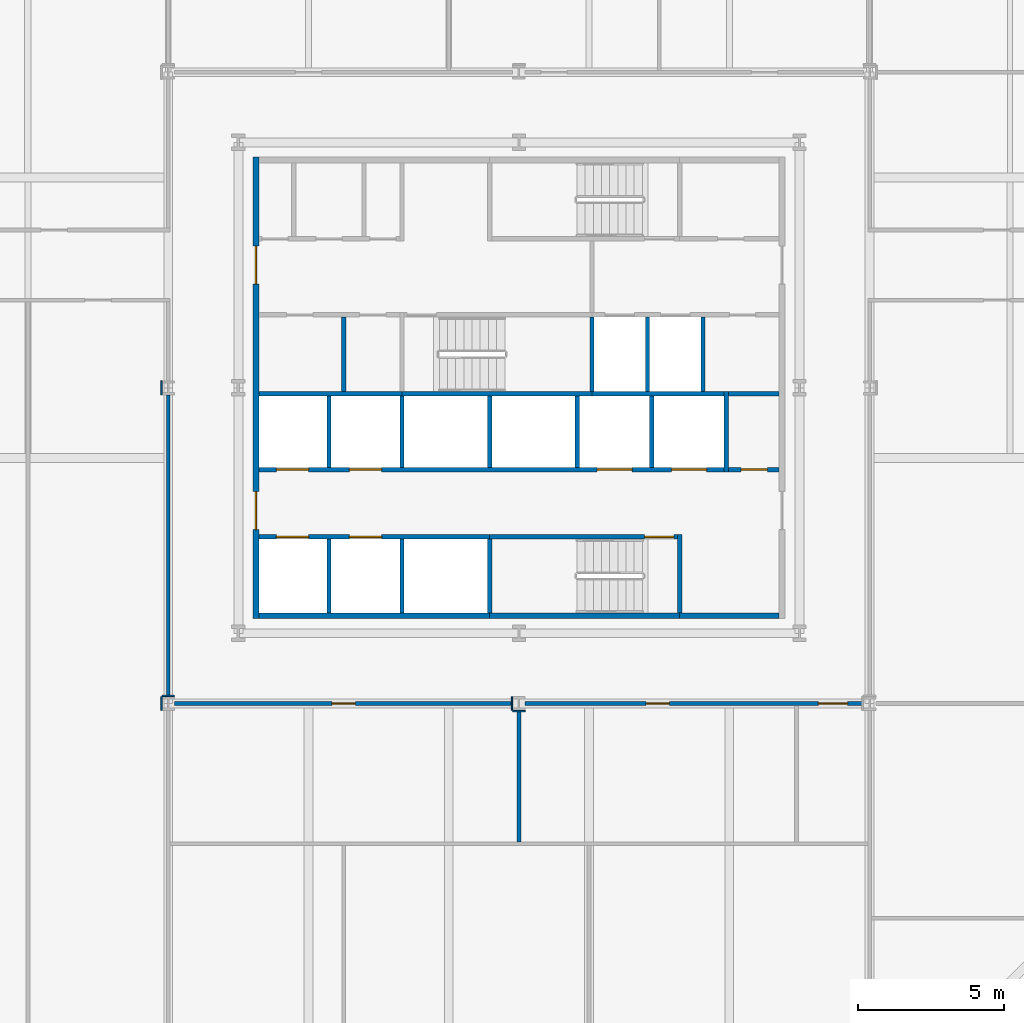
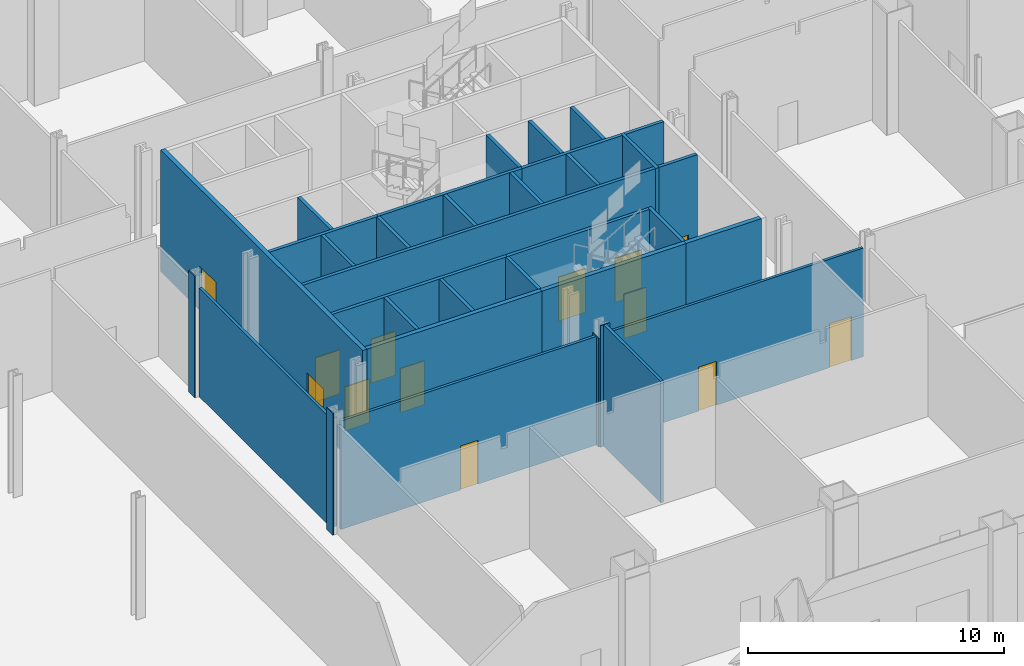
# One storey, part 17 of 31: 35 walls, 13 doors, 13 openings.
"""IFC4 building model written with IfcOpenShell, lengths in metres."""

from ifc_helpers import new_model, si_unit, direction, frame, frame_2d, origin, place, context, subcontext, project, spatial, rectangle, extrude, material, layer, layer_set, type_object, element, fill, save


model = new_model("IFC4")

# Units and contexts
model_context = context("Model", 3, precision=1e-05, world=origin(), true_north=direction((0.0, 1.0)))
body_context = subcontext(model_context, "Body", "Model", "MODEL_VIEW")
ifc_project = project(units=[si_unit("LENGTHUNIT", "METRE"), si_unit("AREAUNIT", "SQUARE_METRE"), si_unit("VOLUMEUNIT", "CUBIC_METRE"), si_unit("PLANEANGLEUNIT", "RADIAN"), si_unit("MASSUNIT", "GRAM", prefix="KILO")], contexts=[model_context])

# Site, building, storey
site_placement = place(None, origin())
site = spatial("IfcSite", under=ifc_project, at=site_placement, CompositionType="ELEMENT")
building_placement = place(site_placement, origin())
building = spatial("IfcBuilding", under=site, at=building_placement, Name="Cairn Pilgrim Tower", CompositionType="ELEMENT")
storey_placement = place(building_placement, frame((0.0, 0.0, 15.0)))
storey = spatial("IfcBuildingStorey", under=building, at=storey_placement, Name="L02", CompositionType="ELEMENT", Elevation=15.0)

# Walls
ifc_material_1 = material(Name="Concrete C32/40", Category="concrete")
ifc_layer_1 = layer(ifc_material_1, 0.199951171875)
ifc_layer_set_1 = layer_set([ifc_layer_1], Name="CORE OUTER WALL 200 EI 120")
wall_type_1 = type_object("IfcWallType", Name="CORE OUTER WALL 200 EI 120", PredefinedType="SOLIDWALL", material=ifc_layer_set_1)
wall_1_placement = place(storey_placement, frame((-1.699951171875, -5.39990234375, 0.0), z_axis=(0.0, 0.0, 1.0), x_axis=(1.0, 0.0, 0.0)))
element("IfcWall", 1, at=wall_1_placement, inside=storey, type_object=wall_type_1, Name="CW:L02:H01-1", PredefinedType="SOLIDWALL", context=body_context, shape_type="SweptSolid", body=[
    extrude(rectangle(XDim=7.89990234375, YDim=0.199951171875, at=frame_2d((3.949951171875, 0.0))), origin(), (0.0, 0.0, 1.0), 5.800048828125),
])
wall_2_placement = place(storey_placement, frame((12.699951171875, -5.39990234375, 0.0), z_axis=(0.0, 0.0, 1.0), x_axis=(1.0, 0.0, 0.0)))
element("IfcWall", 2, at=wall_2_placement, inside=storey, type_object=wall_type_1, Name="CW:L02:H01-3", PredefinedType="SOLIDWALL", context=body_context, shape_type="SweptSolid", body=[
    extrude(rectangle(XDim=3.400146484375, YDim=0.199951171875, at=frame_2d((1.7001953125, 0.0))), origin(), (0.0, 0.0, 1.0), 5.800048828125),
])

# Wall, openings, doors
wall_3_placement = place(storey_placement, frame((-1.800048828125, -5.5, 0.0), z_axis=(0.0, 0.0, 1.0), x_axis=(0.0, 1.0, 0.0)))
wall_3 = element("IfcWall", 3, at=wall_3_placement, inside=storey, type_object=wall_type_1, Name="CW:L02:V12", PredefinedType="SOLIDWALL", context=body_context, shape_type="SweptSolid", body=[
    extrude(rectangle(XDim=15.800048828125, YDim=0.199951171875, at=frame_2d((7.89990234375, 0.0))), origin(), (0.0, 0.0, 1.0), 5.800048828125),
])
opening_1_placement = place(wall_3_placement, frame((3.050048828125, 0.0, 0.0)))
opening_1 = element("IfcOpeningElement", 4, at=opening_1_placement, cuts=wall_3, Name="Opening CD-W1", PredefinedType="OPENING", context=body_context, shape_type="SweptSolid", body=[
    extrude(rectangle(XDim=1.300048828125, YDim=2.10009765625, at=frame_2d((0.64990234375, 1.050048828125))), frame((0.0, 0.10986328125, 0.0), z_axis=(0.0, -1.0, 0.0), x_axis=(1.0, 0.0, 0.0)), (0.0, 0.0, 1.0), 0.219970703125),
])
opening_2_placement = place(wall_3_placement, frame((11.449951171875, 0.0, 0.0)))
opening_2 = element("IfcOpeningElement", 5, at=opening_2_placement, cuts=wall_3, Name="Opening CD-W2", PredefinedType="OPENING", context=body_context, shape_type="SweptSolid", body=[
    extrude(rectangle(XDim=1.300048828125, YDim=2.10009765625, at=frame_2d((0.64990234375, 1.050048828125))), frame((0.0, 0.10986328125, 0.0), z_axis=(0.0, -1.0, 0.0), x_axis=(1.0, 0.0, 0.0)), (0.0, 0.0, 1.0), 0.219970703125),
])
ifc_material_2 = material(Name="Painted steel", Category="steel")
door_type_1 = type_object("IfcDoorType", Name="CORE LOBBY DOOR 1300x2100", OperationType="DOUBLE_DOOR_SINGLE_SWING", PredefinedType="DOOR", material=ifc_material_2)
door_1_placement = place(opening_1_placement, origin())
door_1 = element("IfcDoor", 6, at=door_1_placement, inside=storey, type_object=door_type_1, Name="CD-W1", OperationType="DOUBLE_DOOR_SINGLE_SWING", OverallHeight=2.10009765625, OverallWidth=1.300048828125, PredefinedType="DOOR", context=body_context, shape_type="SweptSolid", body=[
    extrude(rectangle(XDim=1.300048828125, YDim=2.10009765625, at=frame_2d((0.64990234375, 1.050048828125))), frame((0.0, 0.02490234375, 0.0), z_axis=(0.0, -1.0, 0.0), x_axis=(1.0, 0.0, 0.0)), (0.0, 0.0, 1.0), 0.050048828125),
])
fill(opening_1, door_1)
door_2_placement = place(opening_2_placement, origin())
door_2 = element("IfcDoor", 7, at=door_2_placement, inside=storey, type_object=door_type_1, Name="CD-W2", OperationType="DOUBLE_DOOR_SINGLE_SWING", OverallHeight=2.10009765625, OverallWidth=1.300048828125, PredefinedType="DOOR", context=body_context, shape_type="SweptSolid", body=[
    extrude(rectangle(XDim=1.300048828125, YDim=2.10009765625, at=frame_2d((0.64990234375, 1.050048828125))), frame((0.0, 0.02490234375, 0.0), z_axis=(0.0, -1.0, 0.0), x_axis=(1.0, 0.0, 0.0)), (0.0, 0.0, 1.0), 0.050048828125),
])
fill(opening_2, door_2)

# Wall, opening, door
ifc_layer_2 = layer(ifc_material_1, 0.14990234375)
ifc_layer_set_2 = layer_set([ifc_layer_2], Name="CORE PARTITION 150 EI 60")
wall_type_2 = type_object("IfcWallType", Name="CORE PARTITION 150 EI 60", PredefinedType="PARTITIONING", material=ifc_layer_set_2)
wall_4_placement = place(storey_placement, frame((14.375, -0.39990234375, 0.0), z_axis=(0.0, 0.0, 1.0), x_axis=(1.0, 0.0, 0.0)))
wall_4 = element("IfcWall", 8, at=wall_4_placement, inside=storey, type_object=wall_type_2, Name="CW:L02:H04", PredefinedType="PARTITIONING", context=body_context, shape_type="SweptSolid", body=[
    extrude(rectangle(XDim=1.72509765625, YDim=0.14990234375, at=frame_2d((0.862548828125, 0.0))), origin(), (0.0, 0.0, 1.0), 5.800048828125),
])
opening_3_placement = place(wall_4_placement, frame((0.425048828125, 0.0, 0.0)))
opening_3 = element("IfcOpeningElement", 9, at=opening_3_placement, cuts=wall_4, Name="Opening RD-R2E", PredefinedType="OPENING", context=body_context, shape_type="SweptSolid", body=[
    extrude(rectangle(XDim=0.89990234375, YDim=2.10009765625, at=frame_2d((0.449951171875, 1.050048828125))), frame((0.0, 0.0849609375, 0.0), z_axis=(0.0, -1.0, 0.0), x_axis=(1.0, 0.0, 0.0)), (0.0, 0.0, 1.0), 0.169921875),
])
door_type_2 = type_object("IfcDoorType", Name="SERVICE ROOM DOOR 900x2100", OperationType="SINGLE_SWING_LEFT", PredefinedType="DOOR", material=ifc_material_2)
door_3_placement = place(opening_3_placement, origin())
door_3 = element("IfcDoor", 10, at=door_3_placement, inside=storey, type_object=door_type_2, Name="RD-R2E", OperationType="SINGLE_SWING_LEFT", OverallHeight=2.10009765625, OverallWidth=0.89990234375, PredefinedType="DOOR", context=body_context, shape_type="SweptSolid", body=[
    extrude(rectangle(XDim=0.89990234375, YDim=2.10009765625, at=frame_2d((0.449951171875, 1.050048828125))), frame((0.0, 0.02490234375, 0.0), z_axis=(0.0, -1.0, 0.0), x_axis=(1.0, 0.0, 0.0)), (0.0, 0.0, 1.0), 0.050048828125),
])
fill(opening_3, door_3)

# Walls
wall_5_placement = place(storey_placement, frame((14.375, 2.199951171875, 0.0), z_axis=(0.0, 0.0, 1.0), x_axis=(1.0, 0.0, 0.0)))
element("IfcWall", 11, at=wall_5_placement, inside=storey, type_object=wall_type_2, Name="CW:L02:H06", PredefinedType="PARTITIONING", context=body_context, shape_type="SweptSolid", body=[
    extrude(rectangle(XDim=1.72509765625, YDim=0.14990234375, at=frame_2d((0.862548828125, 0.0))), origin(), (0.0, 0.0, 1.0), 5.800048828125),
])
wall_6_placement = place(storey_placement, frame((1.199951171875, 2.27490234375, 0.0), z_axis=(0.0, 0.0, 1.0), x_axis=(0.0, 1.0, 0.0)))
element("IfcWall", 12, at=wall_6_placement, inside=storey, type_object=wall_type_2, Name="CW:L02:V16", PredefinedType="PARTITIONING", context=body_context, shape_type="SweptSolid", body=[
    extrude(rectangle(XDim=2.550048828125, YDim=0.14990234375, at=frame_2d((1.27490234375, 0.0))), origin(), (0.0, 0.0, 1.0), 5.800048828125),
])

# Wall, openings, doors
ifc_layer_3 = layer(ifc_material_1, 0.14990234375)
ifc_layer_set_3 = layer_set([ifc_layer_3], Name="CORE SHAFT WALL 150 EI 120")
wall_type_3 = type_object("IfcWallType", Name="CORE SHAFT WALL 150 EI 120", PredefinedType="SOLIDWALL", material=ifc_layer_set_3)
wall_7_placement = place(storey_placement, frame((-1.699951171875, -2.699951171875, 0.0), z_axis=(0.0, 0.0, 1.0), x_axis=(1.0, 0.0, 0.0)))
wall_7 = element("IfcWall", 13, at=wall_7_placement, inside=storey, type_object=wall_type_3, Name="CW:L02:H02-1", PredefinedType="SOLIDWALL", context=body_context, shape_type="SweptSolid", body=[
    extrude(rectangle(XDim=7.89990234375, YDim=0.14990234375, at=frame_2d((3.949951171875, 0.0))), origin(), (0.0, 0.0, 1.0), 5.800048828125),
])
opening_4_placement = place(wall_7_placement, frame((0.60009765625, 0.0, 0.0)))
opening_4 = element("IfcOpeningElement", 14, at=opening_4_placement, cuts=wall_7, Name="Opening LD-LR1", PredefinedType="OPENING", context=body_context, shape_type="SweptSolid", body=[
    extrude(rectangle(XDim=1.10009765625, YDim=2.10009765625, at=frame_2d((0.550048828125, 1.050048828125))), frame((0.0, 0.0849609375, 0.0), z_axis=(0.0, -1.0, 0.0), x_axis=(1.0, 0.0, 0.0)), (0.0, 0.0, 1.0), 0.169921875),
])
opening_5_placement = place(wall_7_placement, frame((3.10009765625, 0.0, 0.0)))
opening_5 = element("IfcOpeningElement", 15, at=opening_5_placement, cuts=wall_7, Name="Opening LD-LR2", PredefinedType="OPENING", context=body_context, shape_type="SweptSolid", body=[
    extrude(rectangle(XDim=1.10009765625, YDim=2.10009765625, at=frame_2d((0.550048828125, 1.050048828125))), frame((0.0, 0.0849609375, 0.0), z_axis=(0.0, -1.0, 0.0), x_axis=(1.0, 0.0, 0.0)), (0.0, 0.0, 1.0), 0.169921875),
])
ifc_material_3 = material(Name="Stainless steel", Category="steel")
door_type_3 = type_object("IfcDoorType", Name="LIFT LANDING DOOR 1100x2100", OperationType="DOUBLE_DOOR_SLIDING", PredefinedType="DOOR", material=ifc_material_3)
door_4_placement = place(opening_4_placement, origin())
door_4 = element("IfcDoor", 16, at=door_4_placement, inside=storey, type_object=door_type_3, Name="LANDING DOOR LR1", OperationType="DOUBLE_DOOR_SLIDING", OverallHeight=2.10009765625, OverallWidth=1.10009765625, PredefinedType="DOOR", context=body_context, shape_type="SweptSolid", body=[
    extrude(rectangle(XDim=1.10009765625, YDim=2.10009765625, at=frame_2d((0.550048828125, 1.050048828125))), frame((0.0, 0.02490234375, 0.0), z_axis=(0.0, -1.0, 0.0), x_axis=(1.0, 0.0, 0.0)), (0.0, 0.0, 1.0), 0.050048828125),
])
fill(opening_4, door_4)
door_5_placement = place(opening_5_placement, origin())
door_5 = element("IfcDoor", 17, at=door_5_placement, inside=storey, type_object=door_type_3, Name="LANDING DOOR LR2", OperationType="DOUBLE_DOOR_SLIDING", OverallHeight=2.10009765625, OverallWidth=1.10009765625, PredefinedType="DOOR", context=body_context, shape_type="SweptSolid", body=[
    extrude(rectangle(XDim=1.10009765625, YDim=2.10009765625, at=frame_2d((0.550048828125, 1.050048828125))), frame((0.0, 0.02490234375, 0.0), z_axis=(0.0, -1.0, 0.0), x_axis=(1.0, 0.0, 0.0)), (0.0, 0.0, 1.0), 0.050048828125),
])
fill(opening_5, door_5)

wall_8_placement = place(storey_placement, frame((-1.699951171875, -0.39990234375, 0.0), z_axis=(0.0, 0.0, 1.0), x_axis=(1.0, 0.0, 0.0)))
wall_8 = element("IfcWall", 18, at=wall_8_placement, inside=storey, type_object=wall_type_3, Name="CW:L02:H03", PredefinedType="SOLIDWALL", context=body_context, shape_type="SweptSolid", body=[
    extrude(rectangle(XDim=15.925048828125, YDim=0.14990234375, at=frame_2d((7.96240234375, 0.0))), origin(), (0.0, 0.0, 1.0), 5.800048828125),
])
opening_6_placement = place(wall_8_placement, frame((0.60009765625, 0.0, 0.0)))
opening_6 = element("IfcOpeningElement", 19, at=opening_6_placement, cuts=wall_8, Name="Opening LD-LR3", PredefinedType="OPENING", context=body_context, shape_type="SweptSolid", body=[
    extrude(rectangle(XDim=1.10009765625, YDim=2.10009765625, at=frame_2d((0.550048828125, 1.050048828125))), frame((0.0, 0.0849609375, 0.0), z_axis=(0.0, -1.0, 0.0), x_axis=(1.0, 0.0, 0.0)), (0.0, 0.0, 1.0), 0.169921875),
])
opening_7_placement = place(wall_8_placement, frame((3.10009765625, 0.0, 0.0)))
opening_7 = element("IfcOpeningElement", 20, at=opening_7_placement, cuts=wall_8, Name="Opening LD-LR4", PredefinedType="OPENING", context=body_context, shape_type="SweptSolid", body=[
    extrude(rectangle(XDim=1.10009765625, YDim=2.10009765625, at=frame_2d((0.550048828125, 1.050048828125))), frame((0.0, 0.0849609375, 0.0), z_axis=(0.0, -1.0, 0.0), x_axis=(1.0, 0.0, 0.0)), (0.0, 0.0, 1.0), 0.169921875),
])
opening_8_placement = place(wall_8_placement, frame((11.574951171875, 0.0, 0.0)))
opening_8 = element("IfcOpeningElement", 21, at=opening_8_placement, cuts=wall_8, Name="Opening LD-SV1", PredefinedType="OPENING", context=body_context, shape_type="SweptSolid", body=[
    extrude(rectangle(XDim=1.199951171875, YDim=2.10009765625, at=frame_2d((0.60009765625, 1.050048828125))), frame((0.0, 0.0849609375, 0.0), z_axis=(0.0, -1.0, 0.0), x_axis=(1.0, 0.0, 0.0)), (0.0, 0.0, 1.0), 0.169921875),
])
opening_9_placement = place(wall_8_placement, frame((14.125, 0.0, 0.0)))
opening_9 = element("IfcOpeningElement", 22, at=opening_9_placement, cuts=wall_8, Name="Opening LD-SV2", PredefinedType="OPENING", context=body_context, shape_type="SweptSolid", body=[
    extrude(rectangle(XDim=1.199951171875, YDim=2.10009765625, at=frame_2d((0.60009765625, 1.050048828125))), frame((0.0, 0.0849609375, 0.0), z_axis=(0.0, -1.0, 0.0), x_axis=(1.0, 0.0, 0.0)), (0.0, 0.0, 1.0), 0.169921875),
])
door_6_placement = place(opening_6_placement, origin())
door_6 = element("IfcDoor", 23, at=door_6_placement, inside=storey, type_object=door_type_3, Name="LANDING DOOR LR3", OperationType="DOUBLE_DOOR_SLIDING", OverallHeight=2.10009765625, OverallWidth=1.10009765625, PredefinedType="DOOR", context=body_context, shape_type="SweptSolid", body=[
    extrude(rectangle(XDim=1.10009765625, YDim=2.10009765625, at=frame_2d((0.550048828125, 1.050048828125))), frame((0.0, 0.02490234375, 0.0), z_axis=(0.0, -1.0, 0.0), x_axis=(1.0, 0.0, 0.0)), (0.0, 0.0, 1.0), 0.050048828125),
])
fill(opening_6, door_6)
door_7_placement = place(opening_7_placement, origin())
door_7 = element("IfcDoor", 24, at=door_7_placement, inside=storey, type_object=door_type_3, Name="LANDING DOOR LR4", OperationType="DOUBLE_DOOR_SLIDING", OverallHeight=2.10009765625, OverallWidth=1.10009765625, PredefinedType="DOOR", context=body_context, shape_type="SweptSolid", body=[
    extrude(rectangle(XDim=1.10009765625, YDim=2.10009765625, at=frame_2d((0.550048828125, 1.050048828125))), frame((0.0, 0.02490234375, 0.0), z_axis=(0.0, -1.0, 0.0), x_axis=(1.0, 0.0, 0.0)), (0.0, 0.0, 1.0), 0.050048828125),
])
fill(opening_7, door_7)
door_type_4 = type_object("IfcDoorType", Name="LIFT LANDING DOOR 1200x2100", OperationType="DOUBLE_DOOR_SLIDING", PredefinedType="DOOR", material=ifc_material_3)
door_8_placement = place(opening_8_placement, origin())
door_8 = element("IfcDoor", 25, at=door_8_placement, inside=storey, type_object=door_type_4, Name="LANDING DOOR SV1", OperationType="DOUBLE_DOOR_SLIDING", OverallHeight=2.10009765625, OverallWidth=1.199951171875, PredefinedType="DOOR", context=body_context, shape_type="SweptSolid", body=[
    extrude(rectangle(XDim=1.199951171875, YDim=2.10009765625, at=frame_2d((0.60009765625, 1.050048828125))), frame((0.0, 0.02490234375, 0.0), z_axis=(0.0, -1.0, 0.0), x_axis=(1.0, 0.0, 0.0)), (0.0, 0.0, 1.0), 0.050048828125),
])
fill(opening_8, door_8)
door_9_placement = place(opening_9_placement, origin())
door_9 = element("IfcDoor", 26, at=door_9_placement, inside=storey, type_object=door_type_4, Name="LANDING DOOR SV2", OperationType="DOUBLE_DOOR_SLIDING", OverallHeight=2.10009765625, OverallWidth=1.199951171875, PredefinedType="DOOR", context=body_context, shape_type="SweptSolid", body=[
    extrude(rectangle(XDim=1.199951171875, YDim=2.10009765625, at=frame_2d((0.60009765625, 1.050048828125))), frame((0.0, 0.02490234375, 0.0), z_axis=(0.0, -1.0, 0.0), x_axis=(1.0, 0.0, 0.0)), (0.0, 0.0, 1.0), 0.050048828125),
])
fill(opening_9, door_9)

# Walls
wall_9_placement = place(storey_placement, frame((-1.699951171875, 2.199951171875, 0.0), z_axis=(0.0, 0.0, 1.0), x_axis=(1.0, 0.0, 0.0)))
element("IfcWall", 27, at=wall_9_placement, inside=storey, type_object=wall_type_3, Name="CW:L02:H05-1", PredefinedType="SOLIDWALL", context=body_context, shape_type="SweptSolid", body=[
    extrude(rectangle(XDim=4.89990234375, YDim=0.14990234375, at=frame_2d((2.449951171875, 0.0))), origin(), (0.0, 0.0, 1.0), 5.800048828125),
])
wall_10_placement = place(storey_placement, frame((9.699951171875, 2.199951171875, 0.0), z_axis=(0.0, 0.0, 1.0), x_axis=(1.0, 0.0, 0.0)))
element("IfcWall", 28, at=wall_10_placement, inside=storey, type_object=wall_type_3, Name="CW:L02:H05-3", PredefinedType="SOLIDWALL", context=body_context, shape_type="SweptSolid", body=[
    extrude(rectangle(XDim=4.525146484375, YDim=0.14990234375, at=frame_2d((2.2626953125, 0.0))), origin(), (0.0, 0.0, 1.0), 5.800048828125),
])
wall_11_placement = place(storey_placement, frame((0.699951171875, -5.300048828125, 0.0), z_axis=(0.0, 0.0, 1.0), x_axis=(0.0, 1.0, 0.0)))
element("IfcWall", 29, at=wall_11_placement, inside=storey, type_object=wall_type_3, Name="CW:L02:V14", PredefinedType="SOLIDWALL", context=body_context, shape_type="SweptSolid", body=[
    extrude(rectangle(XDim=2.525146484375, YDim=0.14990234375, at=frame_2d((1.2626953125, 0.0))), origin(), (0.0, 0.0, 1.0), 5.800048828125),
])
wall_12_placement = place(storey_placement, frame((0.699951171875, -0.324951171875, 0.0), z_axis=(0.0, 0.0, 1.0), x_axis=(0.0, 1.0, 0.0)))
element("IfcWall", 30, at=wall_12_placement, inside=storey, type_object=wall_type_3, Name="CW:L02:V15", PredefinedType="SOLIDWALL", context=body_context, shape_type="SweptSolid", body=[
    extrude(rectangle(XDim=2.449951171875, YDim=0.14990234375, at=frame_2d((1.22509765625, 0.0))), origin(), (0.0, 0.0, 1.0), 5.800048828125),
])
wall_13_placement = place(storey_placement, frame((3.199951171875, -5.300048828125, 0.0), z_axis=(0.0, 0.0, 1.0), x_axis=(0.0, 1.0, 0.0)))
element("IfcWall", 31, at=wall_13_placement, inside=storey, type_object=wall_type_3, Name="CW:L02:V18", PredefinedType="SOLIDWALL", context=body_context, shape_type="SweptSolid", body=[
    extrude(rectangle(XDim=2.525146484375, YDim=0.14990234375, at=frame_2d((1.2626953125, 0.0))), origin(), (0.0, 0.0, 1.0), 5.800048828125),
])
for number, where, z_axis, x_axis, name in (
    (32, (3.199951171875, -0.324951171875, 0.0), (0.0, 0.0, 1.0), (0.0, 1.0, 0.0), "CW:L02:V19"),
    (33, (6.199951171875, -0.324951171875, 0.0), (0.0, 0.0, 1.0), (0.0, 1.0, 0.0), "CW:L02:V23"),
    (34, (9.199951171875, -0.324951171875, 0.0), (0.0, 0.0, 1.0), (0.0, 1.0, 0.0), "CW:L02:V25"),
):
    element("IfcWall", number, at=place(storey_placement, frame(where, z_axis=z_axis, x_axis=x_axis)), inside=storey, type_object=wall_type_3, Name=name, PredefinedType="SOLIDWALL", context=body_context, shape_type="SweptSolid", body=[
        extrude(rectangle(XDim=2.449951171875, YDim=0.14990234375, at=frame_2d((1.22509765625, 0.0))), origin(), (0.0, 0.0, 1.0), 5.800048828125),
    ])
wall_14_placement = place(storey_placement, frame((11.60009765625, 2.27490234375, 0.0), z_axis=(0.0, 0.0, 1.0), x_axis=(0.0, 1.0, 0.0)))
element("IfcWall", 35, at=wall_14_placement, inside=storey, type_object=wall_type_3, Name="CW:L02:V28", PredefinedType="SOLIDWALL", context=body_context, shape_type="SweptSolid", body=[
    extrude(rectangle(XDim=2.550048828125, YDim=0.14990234375, at=frame_2d((1.27490234375, 0.0))), origin(), (0.0, 0.0, 1.0), 5.800048828125),
])
wall_15_placement = place(storey_placement, frame((11.75, -0.324951171875, 0.0), z_axis=(0.0, 0.0, 1.0), x_axis=(0.0, 1.0, 0.0)))
element("IfcWall", 36, at=wall_15_placement, inside=storey, type_object=wall_type_3, Name="CW:L02:V29", PredefinedType="SOLIDWALL", context=body_context, shape_type="SweptSolid", body=[
    extrude(rectangle(XDim=2.449951171875, YDim=0.14990234375, at=frame_2d((1.22509765625, 0.0))), origin(), (0.0, 0.0, 1.0), 5.800048828125),
])
wall_16_placement = place(storey_placement, frame((13.5, 2.27490234375, 0.0), z_axis=(0.0, 0.0, 1.0), x_axis=(0.0, 1.0, 0.0)))
element("IfcWall", 37, at=wall_16_placement, inside=storey, type_object=wall_type_3, Name="CW:L02:V32", PredefinedType="SOLIDWALL", context=body_context, shape_type="SweptSolid", body=[
    extrude(rectangle(XDim=2.550048828125, YDim=0.14990234375, at=frame_2d((1.27490234375, 0.0))), origin(), (0.0, 0.0, 1.0), 5.800048828125),
])
wall_17_placement = place(storey_placement, frame((14.300048828125, -0.47509765625, 0.0), z_axis=(0.0, 0.0, 1.0), x_axis=(0.0, 1.0, 0.0)))
element("IfcWall", 38, at=wall_17_placement, inside=storey, type_object=wall_type_3, Name="CW:L02:V33", PredefinedType="SOLIDWALL", context=body_context, shape_type="SweptSolid", body=[
    extrude(rectangle(XDim=2.75, YDim=0.14990234375, at=frame_2d((1.375, 0.0))), origin(), (0.0, 0.0, 1.0), 5.800048828125),
])
ifc_material_4 = material(Name="Gypsum partition")
ifc_layer_4 = layer(ifc_material_4, 0.125)
ifc_layer_set_4 = layer_set([ifc_layer_4], Name="PARTITION 125 DRYWALL EI 60")
wall_type_4 = type_object("IfcWallType", Name="PARTITION 125 DRYWALL EI 60", PredefinedType="PARTITIONING", material=ifc_layer_set_4)
wall_18_placement = place(storey_placement, frame((7.199951171875, -13.137451171875, 0.0), z_axis=(0.0, 0.0, 1.0), x_axis=(0.0, 1.0, 0.0)))
element("IfcWall", 39, at=wall_18_placement, inside=storey, type_object=wall_type_4, Name="PARTITION W024", PredefinedType="PARTITIONING", context=body_context, shape_type="SweptSolid", body=[
    extrude(rectangle(XDim=4.50048828125, YDim=0.125, at=frame_2d((2.250244140625, 0.0))), origin(), (0.0, 0.0, 1.0), 5.800048828125),
])

# Wall, opening, door
wall_19_placement = place(storey_placement, frame((-4.587890625, -8.39990234375, 0.0), z_axis=(0.0, 0.0, 1.0), x_axis=(1.0, 0.0, 0.0)))
wall_19 = element("IfcWall", 40, at=wall_19_placement, inside=storey, type_object=wall_type_4, Name="PARTITION W029", PredefinedType="PARTITIONING", context=body_context, shape_type="SweptSolid", body=[
    extrude(rectangle(XDim=11.575927734375, YDim=0.125, at=frame_2d((5.7880859375, 0.0))), origin(), (0.0, 0.0, 1.0), 5.179931640625),
])
opening_10_placement = place(wall_19_placement, frame((5.387939453125, 0.0, 0.0)))
opening_10 = element("IfcOpeningElement", 41, at=opening_10_placement, cuts=wall_19, Name="Opening 0209", PredefinedType="OPENING", context=body_context, shape_type="SweptSolid", body=[
    extrude(rectangle(XDim=0.800048828125, YDim=2.10009765625, at=frame_2d((0.39990234375, 1.050048828125))), frame((0.0, 0.072509765625, 0.0), z_axis=(0.0, -1.0, 0.0), x_axis=(1.0, 0.0, 0.0)), (0.0, 0.0, 1.0), 0.14501953125),
])
ifc_material_5 = material(Name="Timber door leaf", Category="wood")
door_type_5 = type_object("IfcDoorType", Name="WC DOOR 800x2100 FD30S", OperationType="NOTDEFINED", PredefinedType="DOOR", material=ifc_material_5)
door_10_placement = place(opening_10_placement, origin())
door_10 = element("IfcDoor", 42, at=door_10_placement, inside=storey, type_object=door_type_5, Name="DOOR 0209", OperationType="SINGLE_SWING_RIGHT", OverallHeight=2.10009765625, OverallWidth=0.800048828125, PredefinedType="DOOR", context=body_context, shape_type="SweptSolid", body=[
    extrude(rectangle(XDim=0.800048828125, YDim=2.10009765625, at=frame_2d((0.39990234375, 1.050048828125))), frame((0.0, 0.02490234375, 0.0), z_axis=(0.0, -1.0, 0.0), x_axis=(1.0, 0.0, 0.0)), (0.0, 0.0, 1.0), 0.050048828125),
])
fill(opening_10, door_10)

# Wall, openings, doors
wall_20_placement = place(storey_placement, frame((7.412109375, -8.39990234375, 0.0), z_axis=(0.0, 0.0, 1.0), x_axis=(1.0, 0.0, 0.0)))
wall_20 = element("IfcWall", 43, at=wall_20_placement, inside=storey, type_object=wall_type_4, Name="PARTITION W030", PredefinedType="PARTITIONING", context=body_context, shape_type="SweptSolid", body=[
    extrude(rectangle(XDim=11.575927734375, YDim=0.125, at=frame_2d((5.7880859375, 0.0))), origin(), (0.0, 0.0, 1.0), 5.179931640625),
])
opening_11_placement = place(wall_20_placement, frame((4.137939453125, 0.0, 0.0)))
opening_11 = element("IfcOpeningElement", 44, at=opening_11_placement, cuts=wall_20, Name="Opening 0210", PredefinedType="OPENING", context=body_context, shape_type="SweptSolid", body=[
    extrude(rectangle(XDim=0.800048828125, YDim=2.10009765625, at=frame_2d((0.39990234375, 1.050048828125))), frame((0.0, 0.072509765625, 0.0), z_axis=(0.0, -1.0, 0.0), x_axis=(1.0, 0.0, 0.0)), (0.0, 0.0, 1.0), 0.14501953125),
])
opening_12_placement = place(wall_20_placement, frame((10.0380859375, 0.0, 0.0)))
opening_12 = element("IfcOpeningElement", 45, at=opening_12_placement, cuts=wall_20, Name="Opening 0211", PredefinedType="OPENING", context=body_context, shape_type="SweptSolid", body=[
    extrude(rectangle(XDim=1.0, YDim=2.10009765625, at=frame_2d((0.5, 1.050048828125))), frame((0.0, 0.072509765625, 0.0), z_axis=(0.0, -1.0, 0.0), x_axis=(1.0, 0.0, 0.0)), (0.0, 0.0, 1.0), 0.14501953125),
])
door_type_6 = type_object("IfcDoorType", Name="ACCESSIBLE DOOR 1000x2100 FD30S", OperationType="NOTDEFINED", PredefinedType="DOOR", material=ifc_material_5)
door_11_placement = place(opening_12_placement, origin())
door_11 = element("IfcDoor", 46, at=door_11_placement, inside=storey, type_object=door_type_6, Name="DOOR 0211", OperationType="SINGLE_SWING_LEFT", OverallHeight=2.10009765625, OverallWidth=1.0, PredefinedType="DOOR", context=body_context, shape_type="SweptSolid", body=[
    extrude(rectangle(XDim=1.0, YDim=2.10009765625, at=frame_2d((0.5, 1.050048828125))), frame((0.0, 0.02490234375, 0.0), z_axis=(0.0, -1.0, 0.0), x_axis=(1.0, 0.0, 0.0)), (0.0, 0.0, 1.0), 0.050048828125),
])
fill(opening_12, door_11)
door_12_placement = place(opening_11_placement, origin())
door_12 = element("IfcDoor", 47, at=door_12_placement, inside=storey, type_object=door_type_5, Name="DOOR 0210", OperationType="SINGLE_SWING_LEFT", OverallHeight=2.10009765625, OverallWidth=0.800048828125, PredefinedType="DOOR", context=body_context, shape_type="SweptSolid", body=[
    extrude(rectangle(XDim=0.800048828125, YDim=2.10009765625, at=frame_2d((0.39990234375, 1.050048828125))), frame((0.0, 0.02490234375, 0.0), z_axis=(0.0, -1.0, 0.0), x_axis=(1.0, 0.0, 0.0)), (0.0, 0.0, 1.0), 0.050048828125),
])
fill(opening_11, door_12)

# Walls
wall_21_placement = place(storey_placement, frame((-4.800048828125, -8.1630859375, 0.0), z_axis=(0.0, 0.0, 1.0), x_axis=(0.0, 1.0, 0.0)))
element("IfcWall", 48, at=wall_21_placement, inside=storey, type_object=wall_type_4, Name="PARTITION W032", PredefinedType="PARTITIONING", context=body_context, shape_type="SweptSolid", body=[
    extrude(rectangle(XDim=10.326171875, YDim=0.125, at=frame_2d((5.1630859375, 0.0))), origin(), (0.0, 0.0, 1.0), 5.179931640625),
])
ifc_layer_5 = layer(ifc_material_4, 0.050048828125)
ifc_layer_set_5 = layer_set([ifc_layer_5], Name="PARTITION 50 DRYWALL EI 60")
wall_type_5 = type_object("IfcWallType", Name="PARTITION 50 DRYWALL EI 60", PredefinedType="PARTITIONING", material=ifc_layer_set_5)
wall_22_placement = place(storey_placement, frame((-5.037109375, -8.636962890625, 0.0), z_axis=(0.0, 0.0, 1.0), x_axis=(0.0, 1.0, 0.0)))
element("IfcWall", 49, at=wall_22_placement, inside=storey, type_object=wall_type_5, Name="COLUMN CASING WC12", PredefinedType="PARTITIONING", context=body_context, shape_type="SweptSolid", body=[
    extrude(rectangle(XDim=0.473876953125, YDim=0.050048828125, at=frame_2d((0.23681640625, 0.0))), origin(), (0.0, 0.0, 1.0), 5.800048828125),
])
wall_23_placement = place(storey_placement, frame((6.962890625, -8.636962890625, 0.0), z_axis=(0.0, 0.0, 1.0), x_axis=(0.0, 1.0, 0.0)))
element("IfcWall", 50, at=wall_23_placement, inside=storey, type_object=wall_type_5, Name="COLUMN CASING WC22", PredefinedType="PARTITIONING", context=body_context, shape_type="SweptSolid", body=[
    extrude(rectangle(XDim=0.473876953125, YDim=0.050048828125, at=frame_2d((0.23681640625, 0.0))), origin(), (0.0, 0.0, 1.0), 5.179931640625),
])
wall_24_placement = place(storey_placement, frame((-5.037109375, 2.1630859375, 0.0), z_axis=(0.0, 0.0, 1.0), x_axis=(0.0, 1.0, 0.0)))
element("IfcWall", 51, at=wall_24_placement, inside=storey, type_object=wall_type_5, Name="COLUMN CASING WC23", PredefinedType="PARTITIONING", context=body_context, shape_type="SweptSolid", body=[
    extrude(rectangle(XDim=0.473876953125, YDim=0.050048828125, at=frame_2d((0.23681640625, 0.0))), origin(), (0.0, 0.0, 1.0), 5.800048828125),
])
wall_25_placement = place(storey_placement, frame((-5.011962890625, -8.137939453125, 0.0), z_axis=(0.0, 0.0, 1.0), x_axis=(1.0, 0.0, 0.0)))
element("IfcWall", 52, at=wall_25_placement, inside=storey, type_object=wall_type_5, Name="COLUMN CASING WC24", PredefinedType="PARTITIONING", context=body_context, shape_type="SweptSolid", body=[
    extrude(rectangle(XDim=0.424072265625, YDim=0.050048828125, at=frame_2d((0.2119140625, 0.0))), origin(), (0.0, 0.0, 1.0), 5.179931640625),
])
wall_26_placement = place(storey_placement, frame((6.988037109375, -8.662109375, 0.0), z_axis=(0.0, 0.0, 1.0), x_axis=(1.0, 0.0, 0.0)))
element("IfcWall", 53, at=wall_26_placement, inside=storey, type_object=wall_type_5, Name="COLUMN CASING WC25", PredefinedType="PARTITIONING", context=body_context, shape_type="SweptSolid", body=[
    extrude(rectangle(XDim=0.424072265625, YDim=0.050048828125, at=frame_2d((0.2119140625, 0.0))), origin(), (0.0, 0.0, 1.0), 5.800048828125),
])

# Wall, opening, door
ifc_material_6 = material(Name="Concrete C35/45", Category="concrete")
ifc_layer_6 = layer(ifc_material_6, 0.14990234375)
ifc_layer_set_6 = layer_set([ifc_layer_6], Name="STAIR SHAFT WALL 150 EI 120")
wall_type_6 = type_object("IfcWallType", Name="STAIR SHAFT WALL 150 EI 120", PredefinedType="SOLIDWALL", material=ifc_layer_set_6)
wall_27_placement = place(storey_placement, frame((6.199951171875, -2.699951171875, 0.0), z_axis=(0.0, 0.0, 1.0), x_axis=(1.0, 0.0, 0.0)))
wall_27 = element("IfcWall", 54, at=wall_27_placement, inside=storey, type_object=wall_type_6, Name="CW:L02:H02-2", PredefinedType="SOLIDWALL", context=body_context, shape_type="SweptSolid", body=[
    extrude(rectangle(XDim=6.425048828125, YDim=0.14990234375, at=frame_2d((3.21240234375, 0.0))), origin(), (0.0, 0.0, 1.0), 5.800048828125),
])
opening_13_placement = place(wall_27_placement, frame((5.300048828125, 0.0, 0.0)))
opening_13 = element("IfcOpeningElement", 55, at=opening_13_placement, cuts=wall_27, Name="Opening SD-A", PredefinedType="OPENING", context=body_context, shape_type="SweptSolid", body=[
    extrude(rectangle(XDim=1.0, YDim=2.10009765625, at=frame_2d((0.5, 1.050048828125))), frame((0.0, 0.0849609375, 0.0), z_axis=(0.0, -1.0, 0.0), x_axis=(1.0, 0.0, 0.0)), (0.0, 0.0, 1.0), 0.169921875),
])
door_type_7 = type_object("IfcDoorType", Name="STAIR DOOR FD60S 1000x2100", OperationType="SINGLE_SWING_LEFT", PredefinedType="DOOR", material=ifc_material_2)
door_13_placement = place(opening_13_placement, origin())
door_13 = element("IfcDoor", 56, at=door_13_placement, inside=storey, type_object=door_type_7, Name="SD-A", OperationType="SINGLE_SWING_RIGHT", OverallHeight=2.10009765625, OverallWidth=1.0, PredefinedType="DOOR", context=body_context, shape_type="SweptSolid", body=[
    extrude(rectangle(XDim=1.0, YDim=2.10009765625, at=frame_2d((0.5, 1.050048828125))), frame((0.0, 0.02490234375, 0.0), z_axis=(0.0, -1.0, 0.0), x_axis=(1.0, 0.0, 0.0)), (0.0, 0.0, 1.0), 0.050048828125),
])
fill(opening_13, door_13)

# Walls
wall_28_placement = place(storey_placement, frame((3.199951171875, 2.199951171875, 0.0), z_axis=(0.0, 0.0, 1.0), x_axis=(1.0, 0.0, 0.0)))
element("IfcWall", 57, at=wall_28_placement, inside=storey, type_object=wall_type_6, Name="CW:L02:H05-2", PredefinedType="SOLIDWALL", context=body_context, shape_type="SweptSolid", body=[
    extrude(rectangle(XDim=6.5, YDim=0.14990234375, at=frame_2d((3.25, 0.0))), origin(), (0.0, 0.0, 1.0), 5.800048828125),
])
wall_29_placement = place(storey_placement, frame((6.199951171875, -5.300048828125, 0.0), z_axis=(0.0, 0.0, 1.0), x_axis=(0.0, 1.0, 0.0)))
element("IfcWall", 58, at=wall_29_placement, inside=storey, type_object=wall_type_6, Name="CW:L02:V22", PredefinedType="SOLIDWALL", context=body_context, shape_type="SweptSolid", body=[
    extrude(rectangle(XDim=2.525146484375, YDim=0.14990234375, at=frame_2d((1.2626953125, 0.0))), origin(), (0.0, 0.0, 1.0), 5.800048828125),
])
wall_30_placement = place(storey_placement, frame((9.699951171875, 2.27490234375, 0.0), z_axis=(0.0, 0.0, 1.0), x_axis=(0.0, 1.0, 0.0)))
element("IfcWall", 59, at=wall_30_placement, inside=storey, type_object=wall_type_6, Name="CW:L02:V26", PredefinedType="SOLIDWALL", context=body_context, shape_type="SweptSolid", body=[
    extrude(rectangle(XDim=2.550048828125, YDim=0.14990234375, at=frame_2d((1.27490234375, 0.0))), origin(), (0.0, 0.0, 1.0), 5.800048828125),
])
wall_31_placement = place(storey_placement, frame((12.699951171875, -5.300048828125, 0.0), z_axis=(0.0, 0.0, 1.0), x_axis=(0.0, 1.0, 0.0)))
element("IfcWall", 60, at=wall_31_placement, inside=storey, type_object=wall_type_6, Name="CW:L02:V30", PredefinedType="SOLIDWALL", context=body_context, shape_type="SweptSolid", body=[
    extrude(rectangle(XDim=2.675048828125, YDim=0.14990234375, at=frame_2d((1.33740234375, 0.0))), origin(), (0.0, 0.0, 1.0), 5.800048828125),
])
ifc_layer_7 = layer(ifc_material_6, 0.199951171875)
ifc_layer_set_7 = layer_set([ifc_layer_7], Name="STAIR SHAFT WALL 200 EI 120")
wall_type_7 = type_object("IfcWallType", Name="STAIR SHAFT WALL 200 EI 120", PredefinedType="SOLIDWALL", material=ifc_layer_set_7)
wall_32_placement = place(storey_placement, frame((6.199951171875, -5.39990234375, 0.0), z_axis=(0.0, 0.0, 1.0), x_axis=(1.0, 0.0, 0.0)))
element("IfcWall", 61, at=wall_32_placement, inside=storey, type_object=wall_type_7, Name="CW:L02:H01-2", PredefinedType="SOLIDWALL", context=body_context, shape_type="SweptSolid", body=[
    extrude(rectangle(XDim=6.5, YDim=0.199951171875, at=frame_2d((3.25, 0.0))), origin(), (0.0, 0.0, 1.0), 5.800048828125),
])

save(model, "model.ifc")
